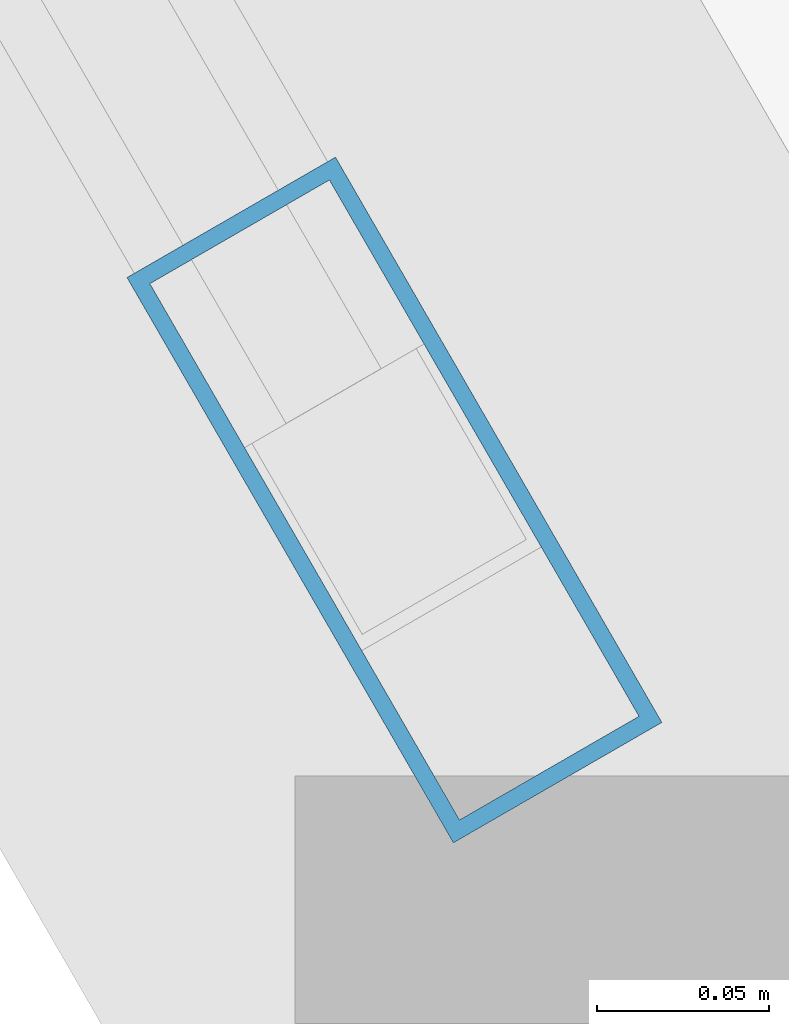
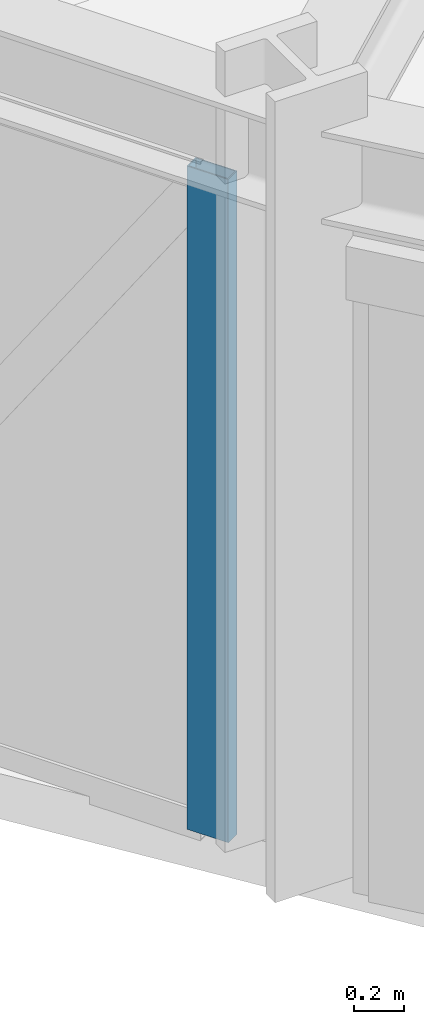
# One storey, part 2 of 23: 1 member, 1 element without a shape of its own.
"""IFC4 building model written with IfcOpenShell, lengths in metres."""

from ifc_helpers import new_model, si_unit, derived_unit, direction, frame, origin, origin_2d, place, context, subcontext, project, spatial, hollow_rectangle, extrude, source, transform, mapped, material, layer, layer_set, material_profile, profile_set, type_object, element, aggregate, save


model = new_model("IFC4")

# Units and contexts
model_context = context("Model", 3, precision=1e-05, world=origin(), true_north=direction((0.0, 1.0)))
body_context = subcontext(model_context, "Body", "Model", "MODEL_VIEW")
ifc_project = project(units=[si_unit("LENGTHUNIT", "METRE"), si_unit("AREAUNIT", "SQUARE_METRE"), si_unit("VOLUMEUNIT", "CUBIC_METRE"), si_unit("PLANEANGLEUNIT", "RADIAN"), si_unit("MASSUNIT", "GRAM", prefix="KILO"), derived_unit("THERMALTRANSMITTANCEUNIT", [(si_unit("POWERUNIT", "WATT"), 1), (si_unit("LENGTHUNIT", "METRE"), -2), (si_unit("THERMODYNAMICTEMPERATUREUNIT", "KELVIN"), -1)])], contexts=[model_context])

# Site, building, storey
site_placement = place(None, origin())
site = spatial("IfcSite", under=ifc_project, at=site_placement, CompositionType="ELEMENT")
building_placement = place(site_placement, origin())
building = spatial("IfcBuilding", under=site, at=building_placement, Name="Korsvarv Bourse and Concert Hall", CompositionType="ELEMENT")
storey_placement = place(building_placement, frame((0.0, 0.0, 24.0)))
storey = spatial("IfcBuildingStorey", under=building, at=storey_placement, Name="L05", CompositionType="ELEMENT", Elevation=24.0)

# Curtain wall, member
ifc_material_1 = material(Name="Anodised aluminium and triple low-E glazing", Category="glass")
ifc_layer = layer(ifc_material_1, 0.219970703125)
ifc_layer_set = layer_set([ifc_layer], Name="Anodised aluminium and triple low-E glazing")
curtain_wall_type = type_object("IfcCurtainWallType", Name="CW-SYS-1", PredefinedType="NOTDEFINED", material=ifc_layer_set)
curtain_wall_placement = place(storey_placement, origin())
curtain_wall = element("IfcCurtainWall", 1, at=curtain_wall_placement, inside=storey, type_object=curtain_wall_type, Name="L05 CW1 curtain wall CW-L05-F07", PredefinedType="NOTDEFINED")
ifc_material_2 = material(Name="Extruded aluminium EN AW-6063 T66", Category="aluminium")
ifc_material_profile = material_profile(ifc_material_2, hollow_rectangle(XDim=0.070068359375, YDim=0.18994140625, WallThickness=0.0048828125, at=origin_2d()), Name="ALU-M 70x190")
ifc_profile_set = profile_set([ifc_material_profile], Name="Extruded aluminium EN AW-6063 T66")
member_type = type_object("IfcMemberType", Name="CWM-190", PredefinedType="MULLION", material=ifc_profile_set)
shared_shape = source(origin(), body_context, "Body", "SweptSolid", [
    extrude(hollow_rectangle(XDim=0.070068359375, YDim=0.18994140625, WallThickness=0.0048828125, at=origin_2d()), origin(), (0.0, 0.0, 1.0), 3.22998046875),
])
member_placement = place(storey_placement, frame((20.884765625, 18.34619140625, 0.0), z_axis=(0.0, 0.0, 1.0), x_axis=(0.866028517121, 0.499994607504, 0.0)))
member = element("IfcMember", 2, at=member_placement, type_object=member_type, Name="CW1 mullion 8", PredefinedType="MULLION", context=body_context, shape_type="MappedRepresentation", body=[
    mapped(shared_shape, transform((0.0, 0.0, 0.0), scale=1.0)),
])
aggregate(curtain_wall, [member])

save(model, "model.ifc")
